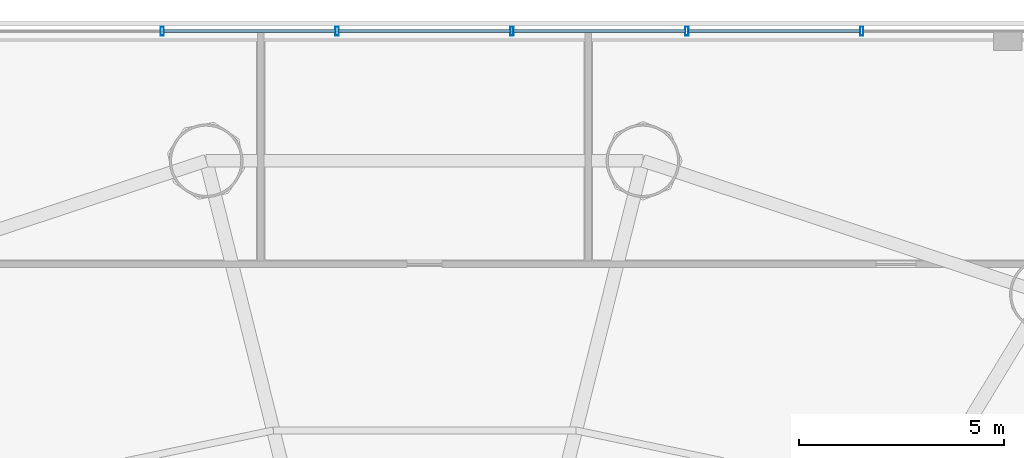
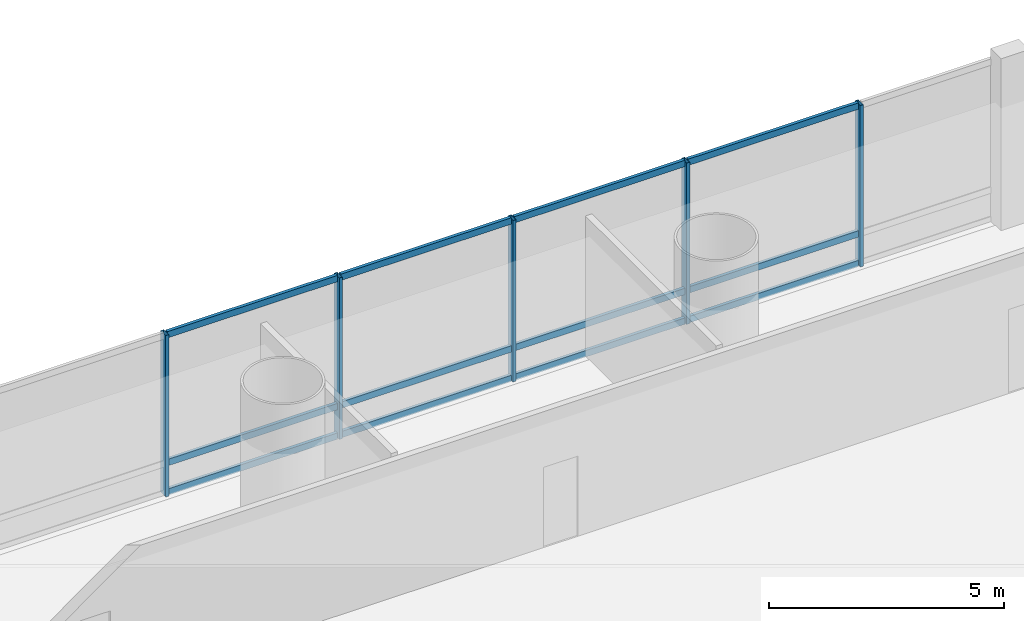
# One storey, part 14 of 36: 17 members, 1 element without a shape of its own.
"""IFC4 building model written with IfcOpenShell, lengths in metres."""

from ifc_helpers import new_model, si_unit, direction, frame, origin, origin_2d, place, context, subcontext, project, spatial, hollow_rectangle, extrude, source, transform, mapped, material, material_profile, profile_set, type_object, element, aggregate, save


model = new_model("IFC4")

# Units and contexts
model_context = context("Model", 3, precision=1e-05, world=origin(), true_north=direction((-0.2419218956, 0.970295726276)))
body_context = subcontext(model_context, "Body", "Model", "MODEL_VIEW")
ifc_project = project(units=[si_unit("LENGTHUNIT", "METRE"), si_unit("AREAUNIT", "SQUARE_METRE"), si_unit("VOLUMEUNIT", "CUBIC_METRE"), si_unit("PLANEANGLEUNIT", "RADIAN"), si_unit("MASSUNIT", "GRAM", prefix="KILO")], contexts=[model_context])

# Site, building, storey
site_placement = place(None, origin())
site = spatial("IfcSite", under=ifc_project, at=site_placement, CompositionType="ELEMENT")
building_placement = place(site_placement, origin())
building = spatial("IfcBuilding", under=site, at=building_placement, Name="Cobrevalo Terracotta Tower", CompositionType="ELEMENT")
storey_placement = place(building_placement, frame((0.0, 0.0, 9.89990234375)))
storey = spatial("IfcBuildingStorey", under=building, at=storey_placement, Name="L02", CompositionType="ELEMENT", Elevation=9.89990234375)

# Curtain wall, members
ifc_material = material(Name="Anodized aluminium", Category="aluminium")
curtain_wall_type = type_object("IfcCurtainWallType", Name="Podium gallery & conservatory curtain wall CW-S2", PredefinedType="NOTDEFINED", material=ifc_material)
curtain_wall_placement = place(storey_placement, origin())
curtain_wall = element("IfcCurtainWall", 1, at=curtain_wall_placement, inside=storey, type_object=curtain_wall_type, Name="L02 curtain wall CW-POD-L02-N", PredefinedType="NOTDEFINED")
ifc_material_profile_1 = material_profile(ifc_material, hollow_rectangle(XDim=0.080078125, YDim=0.219970703125, WallThickness=0.0048828125, at=origin_2d()), Name="CWM 80x220")
ifc_profile_set_1 = profile_set([ifc_material_profile_1], Name="Anodized aluminium")
member_type_1 = type_object("IfcMemberType", Name="Storefront & atrium aluminium mullion 80x220", PredefinedType="MULLION", material=ifc_profile_set_1)
shared_shape_1 = source(origin(), body_context, "Body", "SweptSolid", [
    extrude(hollow_rectangle(XDim=0.080078125, YDim=0.219970703125, WallThickness=0.0048828125, at=origin_2d()), origin(), (0.0, 0.0, 1.0), 4.2001953125),
])
member_1_placement = place(storey_placement, frame((48.683349609375, 51.39990234375, 0.0), z_axis=(0.0, 0.0, 1.0), x_axis=(-1.0, 0.0, 0.0)))
member_1 = element("IfcMember", 2, at=member_1_placement, type_object=member_type_1, Name="CW-POD-L02-N vertical mullion 06", PredefinedType="MULLION", context=body_context, shape_type="MappedRepresentation", body=[
    mapped(shared_shape_1, transform((0.0, 0.0, 0.0), scale=1.0)),
])
member_2_placement = place(storey_placement, frame((44.409912109375, 51.39990234375, 0.0), z_axis=(0.0, 0.0, 1.0), x_axis=(-1.0, 0.0, 0.0)))
member_2 = element("IfcMember", 3, at=member_2_placement, type_object=member_type_1, Name="CW-POD-L02-N vertical mullion 07", PredefinedType="MULLION", context=body_context, shape_type="MappedRepresentation", body=[
    mapped(shared_shape_1, transform((0.0, 0.0, 0.0), scale=1.0)),
])
member_3_placement = place(storey_placement, frame((40.13671875, 51.39990234375, 0.0), z_axis=(0.0, 0.0, 1.0), x_axis=(-1.0, 0.0, 0.0)))
member_3 = element("IfcMember", 4, at=member_3_placement, type_object=member_type_1, Name="CW-POD-L02-N vertical mullion 08", PredefinedType="MULLION", context=body_context, shape_type="MappedRepresentation", body=[
    mapped(shared_shape_1, transform((0.0, 0.0, 0.0), scale=1.0)),
])
member_4_placement = place(storey_placement, frame((35.86328125, 51.39990234375, 0.0), z_axis=(0.0, 0.0, 1.0), x_axis=(-1.0, 0.0, 0.0)))
member_4 = element("IfcMember", 5, at=member_4_placement, type_object=member_type_1, Name="CW-POD-L02-N vertical mullion 09", PredefinedType="MULLION", context=body_context, shape_type="MappedRepresentation", body=[
    mapped(shared_shape_1, transform((0.0, 0.0, 0.0), scale=1.0)),
])
member_5_placement = place(storey_placement, frame((31.590087890625, 51.39990234375, 0.0), z_axis=(0.0, 0.0, 1.0), x_axis=(-1.0, 0.0, 0.0)))
member_5 = element("IfcMember", 6, at=member_5_placement, type_object=member_type_1, Name="CW-POD-L02-N vertical mullion 10", PredefinedType="MULLION", context=body_context, shape_type="MappedRepresentation", body=[
    mapped(shared_shape_1, transform((0.0, 0.0, 0.0), scale=1.0)),
])
ifc_material_profile_2 = material_profile(ifc_material, hollow_rectangle(XDim=0.080078125, YDim=0.1650390625, WallThickness=0.00439453125, at=origin_2d()), Name="CWT 80x165")
ifc_profile_set_2 = profile_set([ifc_material_profile_2], Name="Anodized aluminium")
member_type_2 = type_object("IfcMemberType", Name="Storefront & atrium aluminium transom 80x165", PredefinedType="USERDEFINED", material=ifc_profile_set_2)
shared_shape_2 = source(origin(), body_context, "Body", "SweptSolid", [
    extrude(hollow_rectangle(XDim=0.080078125, YDim=0.1650390625, WallThickness=0.00439453125, at=origin_2d()), origin(), (0.0, 0.0, 1.0), 4.193359375),
])
member_6_placement = place(storey_placement, frame((48.643310546875, 51.39990234375, 0.050048828125), z_axis=(-1.0, 0.0, 0.0), x_axis=(0.0, -1.0, 0.0)))
member_6 = element("IfcMember", 7, at=member_6_placement, type_object=member_type_2, Name="CW-POD-L02-N transom B06-T1", ObjectType="TRANSOM", PredefinedType="USERDEFINED", context=body_context, shape_type="MappedRepresentation", body=[
    mapped(shared_shape_2, transform((0.0, 0.0, 0.0), scale=1.0)),
])
member_7_placement = place(storey_placement, frame((48.643310546875, 51.39990234375, 0.820068359375), z_axis=(-1.0, 0.0, 0.0), x_axis=(0.0, -1.0, 0.0)))
member_7 = element("IfcMember", 8, at=member_7_placement, type_object=member_type_2, Name="CW-POD-L02-N transom B06-T2", ObjectType="TRANSOM", PredefinedType="USERDEFINED", context=body_context, shape_type="MappedRepresentation", body=[
    mapped(shared_shape_2, transform((0.0, 0.0, 0.0), scale=1.0)),
])
member_8_placement = place(storey_placement, frame((48.643310546875, 51.39990234375, 4.150146484375), z_axis=(-1.0, 0.0, 0.0), x_axis=(0.0, -1.0, 0.0)))
member_8 = element("IfcMember", 9, at=member_8_placement, type_object=member_type_2, Name="CW-POD-L02-N transom B06-T3", ObjectType="TRANSOM", PredefinedType="USERDEFINED", context=body_context, shape_type="MappedRepresentation", body=[
    mapped(shared_shape_2, transform((0.0, 0.0, 0.0), scale=1.0)),
])
member_9_placement = place(storey_placement, frame((44.3701171875, 51.39990234375, 0.050048828125), z_axis=(-1.0, 0.0, 0.0), x_axis=(0.0, -1.0, 0.0)))
member_9 = element("IfcMember", 10, at=member_9_placement, type_object=member_type_2, Name="CW-POD-L02-N transom B07-T1", ObjectType="TRANSOM", PredefinedType="USERDEFINED", context=body_context, shape_type="MappedRepresentation", body=[
    mapped(shared_shape_2, transform((0.0, 0.0, 0.0), scale=1.0)),
])
member_10_placement = place(storey_placement, frame((44.3701171875, 51.39990234375, 0.820068359375), z_axis=(-1.0, 0.0, 0.0), x_axis=(0.0, -1.0, 0.0)))
member_10 = element("IfcMember", 11, at=member_10_placement, type_object=member_type_2, Name="CW-POD-L02-N transom B07-T2", ObjectType="TRANSOM", PredefinedType="USERDEFINED", context=body_context, shape_type="MappedRepresentation", body=[
    mapped(shared_shape_2, transform((0.0, 0.0, 0.0), scale=1.0)),
])
member_11_placement = place(storey_placement, frame((44.3701171875, 51.39990234375, 4.150146484375), z_axis=(-1.0, 0.0, 0.0), x_axis=(0.0, -1.0, 0.0)))
member_11 = element("IfcMember", 12, at=member_11_placement, type_object=member_type_2, Name="CW-POD-L02-N transom B07-T3", ObjectType="TRANSOM", PredefinedType="USERDEFINED", context=body_context, shape_type="MappedRepresentation", body=[
    mapped(shared_shape_2, transform((0.0, 0.0, 0.0), scale=1.0)),
])
member_12_placement = place(storey_placement, frame((40.0966796875, 51.39990234375, 0.050048828125), z_axis=(-1.0, 0.0, 0.0), x_axis=(0.0, -1.0, 0.0)))
member_12 = element("IfcMember", 13, at=member_12_placement, type_object=member_type_2, Name="CW-POD-L02-N transom B08-T1", ObjectType="TRANSOM", PredefinedType="USERDEFINED", context=body_context, shape_type="MappedRepresentation", body=[
    mapped(shared_shape_2, transform((0.0, 0.0, 0.0), scale=1.0)),
])
member_13_placement = place(storey_placement, frame((40.0966796875, 51.39990234375, 0.820068359375), z_axis=(-1.0, 0.0, 0.0), x_axis=(0.0, -1.0, 0.0)))
member_13 = element("IfcMember", 14, at=member_13_placement, type_object=member_type_2, Name="CW-POD-L02-N transom B08-T2", ObjectType="TRANSOM", PredefinedType="USERDEFINED", context=body_context, shape_type="MappedRepresentation", body=[
    mapped(shared_shape_2, transform((0.0, 0.0, 0.0), scale=1.0)),
])
member_14_placement = place(storey_placement, frame((40.0966796875, 51.39990234375, 4.150146484375), z_axis=(-1.0, 0.0, 0.0), x_axis=(0.0, -1.0, 0.0)))
member_14 = element("IfcMember", 15, at=member_14_placement, type_object=member_type_2, Name="CW-POD-L02-N transom B08-T3", ObjectType="TRANSOM", PredefinedType="USERDEFINED", context=body_context, shape_type="MappedRepresentation", body=[
    mapped(shared_shape_2, transform((0.0, 0.0, 0.0), scale=1.0)),
])
member_15_placement = place(storey_placement, frame((35.8232421875, 51.39990234375, 0.050048828125), z_axis=(-1.0, 0.0, 0.0), x_axis=(0.0, -1.0, 0.0)))
member_15 = element("IfcMember", 16, at=member_15_placement, type_object=member_type_2, Name="CW-POD-L02-N transom B09-T1", ObjectType="TRANSOM", PredefinedType="USERDEFINED", context=body_context, shape_type="MappedRepresentation", body=[
    mapped(shared_shape_2, transform((0.0, 0.0, 0.0), scale=1.0)),
])
member_16_placement = place(storey_placement, frame((35.8232421875, 51.39990234375, 0.820068359375), z_axis=(-1.0, 0.0, 0.0), x_axis=(0.0, -1.0, 0.0)))
member_16 = element("IfcMember", 17, at=member_16_placement, type_object=member_type_2, Name="CW-POD-L02-N transom B09-T2", ObjectType="TRANSOM", PredefinedType="USERDEFINED", context=body_context, shape_type="MappedRepresentation", body=[
    mapped(shared_shape_2, transform((0.0, 0.0, 0.0), scale=1.0)),
])
member_17_placement = place(storey_placement, frame((35.8232421875, 51.39990234375, 4.150146484375), z_axis=(-1.0, 0.0, 0.0), x_axis=(0.0, -1.0, 0.0)))
member_17 = element("IfcMember", 18, at=member_17_placement, type_object=member_type_2, Name="CW-POD-L02-N transom B09-T3", ObjectType="TRANSOM", PredefinedType="USERDEFINED", context=body_context, shape_type="MappedRepresentation", body=[
    mapped(shared_shape_2, transform((0.0, 0.0, 0.0), scale=1.0)),
])
aggregate(curtain_wall, [member_1, member_2, member_3, member_4, member_5, member_6, member_7, member_8, member_9, member_10, member_11, member_12, member_13, member_14, member_15, member_16, member_17])

save(model, "model.ifc")
